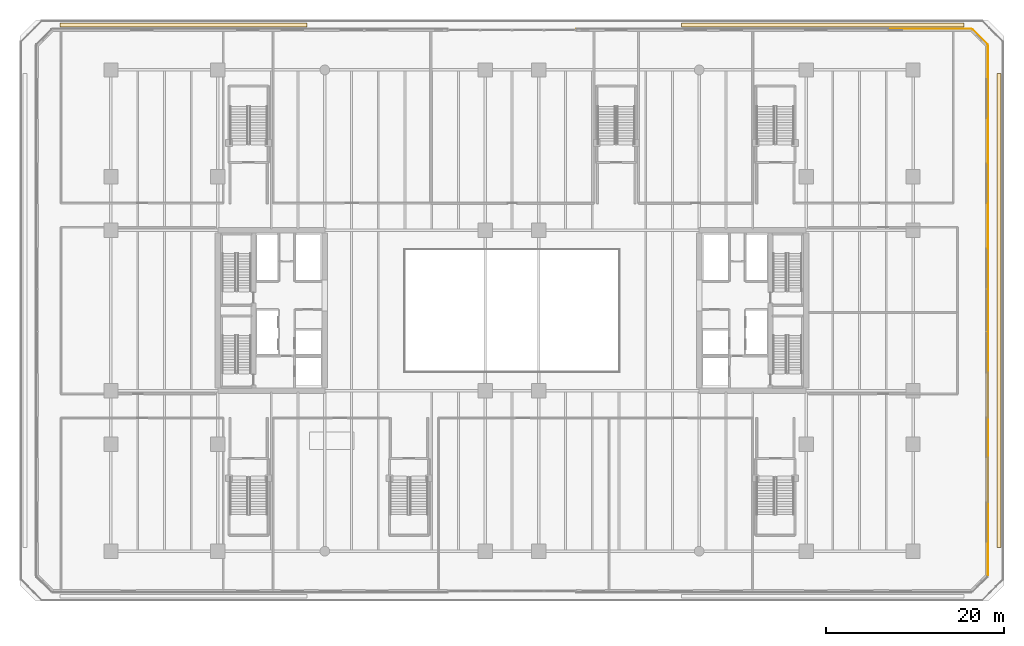
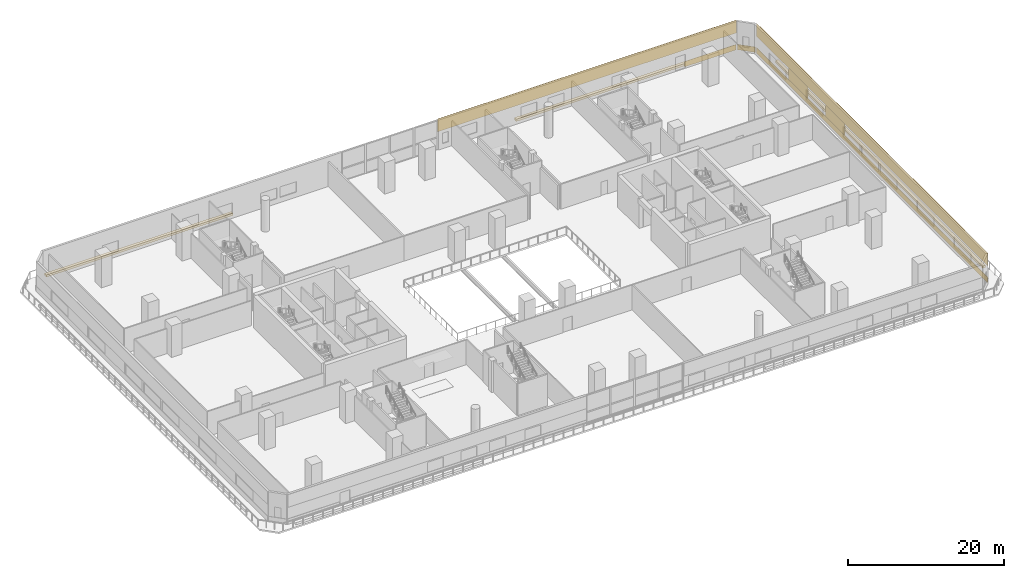
# One storey, part 27 of 27: 10 coverings.
"""IFC4 building model written with IfcOpenShell, lengths in metres."""

from ifc_helpers import new_model, si_unit, direction, frame, origin, origin_2d, place, context, subcontext, project, spatial, polyline, rectangle, outline, extrude, material, layer, layer_set, type_object, element, save


model = new_model("IFC4")

# Units and contexts
model_context = context("Model", 3, precision=1e-05, world=origin(), true_north=direction((0.0, 1.0)))
body_context = subcontext(model_context, "Body", "Model", "MODEL_VIEW")
ifc_project = project(units=[si_unit("LENGTHUNIT", "METRE"), si_unit("AREAUNIT", "SQUARE_METRE"), si_unit("VOLUMEUNIT", "CUBIC_METRE"), si_unit("PLANEANGLEUNIT", "RADIAN"), si_unit("MASSUNIT", "GRAM", prefix="KILO")], contexts=[model_context])

# Site, building, storey
site_placement = place(None, origin())
site = spatial("IfcSite", under=ifc_project, at=site_placement, CompositionType="ELEMENT")
building_placement = place(site_placement, origin())
building = spatial("IfcBuilding", under=site, at=building_placement, Name="Tanjung Sevakor Pilgrim Tower", CompositionType="ELEMENT")
storey_placement = place(building_placement, frame((0.0, 0.0, 9.89990234375)))
storey = spatial("IfcBuildingStorey", under=building, at=storey_placement, Name="L03", CompositionType="ELEMENT", Elevation=9.89990234375)

# Coverings
ifc_material_1 = material(Name="Reconstructed Limestone Cladding", Category="masonry")
ifc_layer_1 = layer(ifc_material_1, 0.044921875)
ifc_layer_set_1 = layer_set([ifc_layer_1], Name="COV-CLAD-LIMESTONE")
covering_type_1 = type_object("IfcCoveringType", Name="COV-CLAD-LIMESTONE", PredefinedType="CLADDING", material=ifc_layer_set_1)
covering_1_placement = place(storey_placement, frame((110.422607421875, 33.60009765625, 0.01025390625), z_axis=(0.0, 0.0, 1.0), x_axis=(0.0, 1.0, 0.0)))
element("IfcCovering", 1, at=covering_1_placement, inside=storey, type_object=covering_type_1, Name="L03 Warm Limestone Sill Spandrel EW-L03-MAIN-3-1", PredefinedType="CLADDING", context=body_context, shape_type="SweptSolid", body=[
    extrude(rectangle(XDim=59.395751953125, YDim=0.044921875, at=origin_2d()), origin(), (0.0, 0.0, 1.0), 0.840087890625),
])
covering_2_placement = place(storey_placement, frame((110.422607421875, 33.60009765625, 2.66015625), z_axis=(0.0, 0.0, 1.0), x_axis=(0.0, 1.0, 0.0)))
element("IfcCovering", 2, at=covering_2_placement, inside=storey, type_object=covering_type_1, Name="L03 Warm Limestone Cornice Spandrel EW-L03-MAIN-3", PredefinedType="CLADDING", context=body_context, shape_type="SweptSolid", body=[
    extrude(rectangle(XDim=59.435791015625, YDim=0.044921875, at=origin_2d()), origin(), (0.0, 0.0, 1.0), 2.0),
])
for number, where, z_axis, x_axis, name in (
    (3, (110.422607421875, 43.10009765625, 0.85009765625), (0.0, 0.0, 1.0), (0.0, 1.0, 0.0), "L03 Warm Limestone Pier Panel EW-L03-MAIN-3-3"),
    (4, (110.422607421875, 52.60009765625, 0.85009765625), (0.0, 0.0, 1.0), (0.0, 1.0, 0.0), "L03 Warm Limestone Pier Panel EW-L03-MAIN-3-4"),
):
    element("IfcCovering", number, at=place(storey_placement, frame(where, z_axis=z_axis, x_axis=x_axis)), inside=storey, type_object=covering_type_1, Name=name, PredefinedType="CLADDING", context=body_context, shape_type="SweptSolid", body=[
        extrude(rectangle(XDim=5.0, YDim=0.044921875, at=origin_2d()), origin(), (0.0, 0.0, 1.0), 1.81005859375),
    ])
covering_3_placement = place(storey_placement, frame((109.515869140625, 64.31591796875, 0.01025390625), z_axis=(0.0, 0.0, 1.0), x_axis=(-0.707106781187, 0.707106781187, 0.0)))
element("IfcCovering", 5, at=covering_3_placement, inside=storey, type_object=covering_type_1, Name="L03 Warm Limestone Sill Spandrel EW-L03-MAIN-4-1", PredefinedType="CLADDING", context=body_context, shape_type="SweptSolid", body=[
    extrude(rectangle(XDim=2.34130859375, YDim=0.044921875, at=origin_2d()), origin(), (0.0, 0.0, 1.0), 0.840087890625),
])
covering_4_placement = place(storey_placement, frame((104.6728515625, 65.222412109375, 0.01025390625), z_axis=(0.0, 0.0, 1.0), x_axis=(-1.0, 0.0, 0.0)))
element("IfcCovering", 6, at=covering_4_placement, inside=storey, type_object=covering_type_1, Name="L03 Warm Limestone Sill Spandrel EW-L03-N1-1", PredefinedType="CLADDING", context=body_context, shape_type="SweptSolid", body=[
    extrude(rectangle(XDim=7.64990234375, YDim=0.044921875, at=origin_2d()), origin(), (0.0, 0.0, 1.0), 0.840087890625),
])
covering_5_placement = place(storey_placement, frame((86.368896484375, 65.222412109375, 2.66015625), z_axis=(0.0, 0.0, 1.0), x_axis=(-1.0, 0.0, 0.0)))
element("IfcCovering", 7, at=covering_5_placement, inside=storey, type_object=covering_type_1, Name="L03 Warm Limestone Cornice Spandrel EW-L03-N1", PredefinedType="CLADDING", context=body_context, shape_type="SweptSolid", body=[
    extrude(rectangle(XDim=44.2978515625, YDim=0.044921875, at=origin_2d()), origin(), (0.0, 0.0, 1.0), 2.0),
])
ifc_material_2 = material(Name="Vegetated Modular Planter Assembly", Category="organic")
ifc_layer_2 = layer(ifc_material_2, 0.35009765625)
ifc_layer_set_2 = layer_set([ifc_layer_2], Name="COV-GRN-TROUGH")
covering_type_2 = type_object("IfcCoveringType", Name="COV-GRN-TROUGH", PredefinedType="CLADDING", material=ifc_layer_set_2)
covering_6_placement = place(storey_placement, origin())
element("IfcCovering", 8, at=covering_6_placement, inside=storey, type_object=covering_type_2, Name="L03 Planted Landscape Hedge Trough PGRN-L03-NW", PredefinedType="CLADDING", context=body_context, shape_type="SweptSolid", body=[
    extrude(outline(polyline([(6.300048828125, 65.429931640625), (34.0, 65.429931640625), (34.0, 65.8701171875), (6.300048828125, 65.8701171875), (6.300048828125, 65.429931640625)])), origin(), (0.0, 0.0, 1.0), 0.35009765625),
])
covering_7_placement = place(storey_placement, origin())
element("IfcCovering", 9, at=covering_7_placement, inside=storey, type_object=covering_type_2, Name="L03 Planted Landscape Hedge Trough PGRN-L03-NE", PredefinedType="CLADDING", context=body_context, shape_type="SweptSolid", body=[
    extrude(outline(polyline([(76.0, 65.429931640625), (107.699951171875, 65.429931640625), (107.699951171875, 65.8701171875), (76.0, 65.8701171875), (76.0, 65.429931640625)])), origin(), (0.0, 0.0, 1.0), 0.35009765625),
])
covering_8_placement = place(storey_placement, origin())
element("IfcCovering", 10, at=covering_8_placement, inside=storey, type_object=covering_type_2, Name="L03 Planted Landscape Hedge Trough PGRN-L03-E", PredefinedType="CLADDING", context=body_context, shape_type="SweptSolid", body=[
    extrude(outline(polyline([(111.8701171875, 7.0), (111.8701171875, 60.199951171875), (111.429931640625, 60.199951171875), (111.429931640625, 7.0), (111.8701171875, 7.0)])), origin(), (0.0, 0.0, 1.0), 0.35009765625),
])

save(model, "model.ifc")
